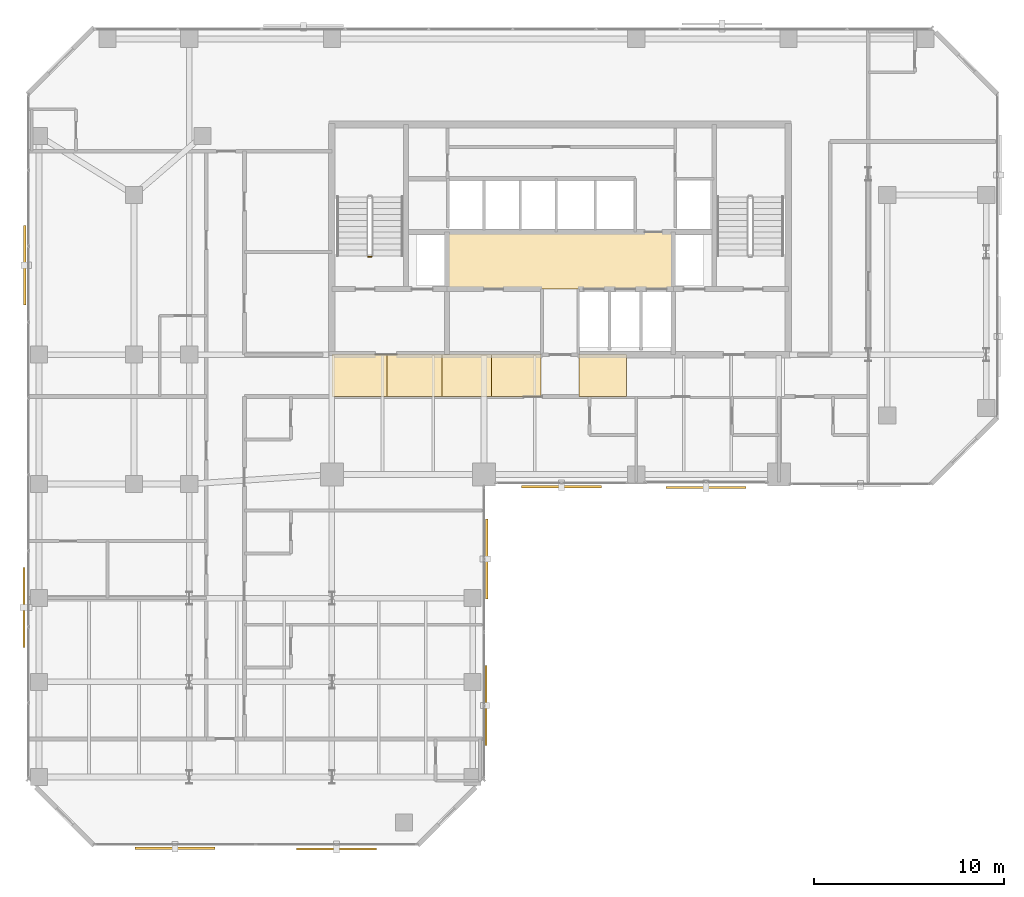
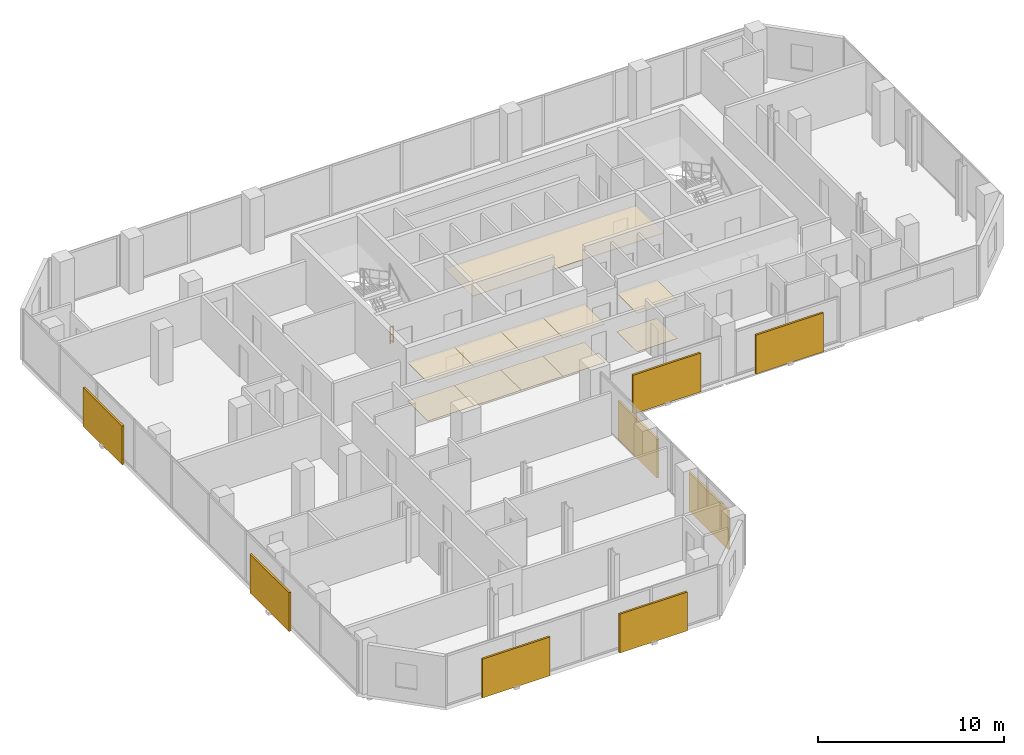
# One storey, part 33 of 34: 11 coverings, 8 shading devices, 1 railing.
"""IFC4 building model written with IfcOpenShell, lengths in metres."""

from ifc_helpers import new_model, si_unit, direction, frame, origin, origin_2d, place, context, subcontext, project, spatial, polyline, rectangle, circle, outline, extrude, material, layer, layer_set, type_object, element, save


model = new_model("IFC4")

# Units and contexts
model_context = context("Model", 3, precision=1e-05, world=origin(), true_north=direction((0.0, 1.0)))
body_context = subcontext(model_context, "Body", "Model", "MODEL_VIEW")
ifc_project = project(units=[si_unit("LENGTHUNIT", "METRE"), si_unit("AREAUNIT", "SQUARE_METRE"), si_unit("VOLUMEUNIT", "CUBIC_METRE"), si_unit("PLANEANGLEUNIT", "RADIAN"), si_unit("MASSUNIT", "GRAM", prefix="KILO")], contexts=[model_context])

# Site, building, storey
site_placement = place(None, origin())
site = spatial("IfcSite", under=ifc_project, at=site_placement, CompositionType="ELEMENT")
building_placement = place(site_placement, origin())
building = spatial("IfcBuilding", under=site, at=building_placement, Name="Catumbela Crestline Tower", CompositionType="ELEMENT")
storey_placement = place(building_placement, frame((0.0, 0.0, 97.2)))
storey = spatial("IfcBuildingStorey", under=building, at=storey_placement, Name="L24", CompositionType="ELEMENT", Elevation=97.2)

# Coverings
ifc_material_1 = material(Name="Mineral-fibre acoustic ceiling")
ifc_layer_1 = layer(ifc_material_1, 0.03, Name="Mineral-fibre acoustic ceiling")
ifc_layer_set_1 = layer_set([ifc_layer_1], Name="Mineral-fibre acoustic ceiling")
covering_type_1 = type_object("IfcCoveringType", Name="CC-AC", PredefinedType="CEILING", material=ifc_layer_set_1)
covering_1_placement = place(storey_placement, frame((0.0, 0.0, 2.65)))
element("IfcCovering", 1, at=covering_1_placement, inside=storey, type_object=covering_type_1, Name="L24 Lift Lobby Acoustic Ceiling", PredefinedType="CEILING", context=body_context, shape_type="SweptSolid", body=[
    extrude(outline(polyline([(22.05, 34.25), (33.95, 34.25), (33.95, 37.25), (22.05, 37.25), (22.05, 34.25)])), origin(), (0.0, 0.0, 1.0), 0.03),
])
covering_2_placement = place(storey_placement, frame((0.0, 0.0, 2.52)))
element("IfcCovering", 2, at=covering_2_placement, inside=storey, type_object=covering_type_1, Name="L24 Corridor Acoustic Ceiling Bay 1", PredefinedType="CEILING", context=body_context, shape_type="SweptSolid", body=[
    extrude(outline(polyline([(16.0, 28.6), (18.9, 28.6), (18.9, 30.8), (16.0, 30.8), (16.0, 28.6)])), origin(), (0.0, 0.0, 1.0), 0.03),
])
covering_3_placement = place(storey_placement, frame((0.0, 0.0, 2.52)))
element("IfcCovering", 3, at=covering_3_placement, inside=storey, type_object=covering_type_1, Name="L24 Corridor Acoustic Ceiling Bay 2", PredefinedType="CEILING", context=body_context, shape_type="SweptSolid", body=[
    extrude(outline(polyline([(18.9, 28.6), (21.8, 28.6), (21.8, 30.8), (18.9, 30.8), (18.9, 28.6)])), origin(), (0.0, 0.0, 1.0), 0.03),
])
covering_4_placement = place(storey_placement, frame((0.0, 0.0, 2.52)))
element("IfcCovering", 4, at=covering_4_placement, inside=storey, type_object=covering_type_1, Name="L24 Corridor Acoustic Ceiling Bay 3", PredefinedType="CEILING", context=body_context, shape_type="SweptSolid", body=[
    extrude(outline(polyline([(21.8, 28.6), (24.4, 28.6), (24.4, 30.8), (21.8, 30.8), (21.8, 28.6)])), origin(), (0.0, 0.0, 1.0), 0.03),
])
covering_5_placement = place(storey_placement, frame((0.0, 0.0, 2.52)))
element("IfcCovering", 5, at=covering_5_placement, inside=storey, type_object=covering_type_1, Name="L24 Corridor Acoustic Ceiling Bay 4", PredefinedType="CEILING", context=body_context, shape_type="SweptSolid", body=[
    extrude(outline(polyline([(24.4, 28.6), (27.0, 28.6), (27.0, 30.8), (24.4, 30.8), (24.4, 28.6)])), origin(), (0.0, 0.0, 1.0), 0.03),
])
covering_6_placement = place(storey_placement, frame((0.0, 0.0, 2.52)))
element("IfcCovering", 6, at=covering_6_placement, inside=storey, type_object=covering_type_1, Name="L24 Corridor Acoustic Ceiling Bay 5", PredefinedType="CEILING", context=body_context, shape_type="SweptSolid", body=[
    extrude(outline(polyline([(29.0, 28.6), (31.5, 28.6), (31.5, 30.8), (29.0, 30.8), (29.0, 28.6)])), origin(), (0.0, 0.0, 1.0), 0.03),
])
ifc_material_2 = material(Name="Angolan grey-ochre granite", Category="masonry")
ifc_layer_2 = layer(ifc_material_2, 0.025, Name="Angolan grey-ochre granite")
ifc_layer_set_2 = layer_set([ifc_layer_2], Name="Angolan grey-ochre granite")
covering_type_2 = type_object("IfcCoveringType", Name="CF-GR", PredefinedType="FLOORING", material=ifc_layer_set_2)
covering_7_placement = place(storey_placement, origin())
element("IfcCovering", 7, at=covering_7_placement, inside=storey, type_object=covering_type_2, Name="L24 Corridor Granite Flooring Bay 1", PredefinedType="FLOORING", context=body_context, shape_type="SweptSolid", body=[
    extrude(outline(polyline([(16.0, 28.6), (18.9, 28.6), (18.9, 30.8), (16.0, 30.8), (16.0, 28.6)])), origin(), (0.0, 0.0, 1.0), 0.025),
])
covering_8_placement = place(storey_placement, origin())
element("IfcCovering", 8, at=covering_8_placement, inside=storey, type_object=covering_type_2, Name="L24 Corridor Granite Flooring Bay 2", PredefinedType="FLOORING", context=body_context, shape_type="SweptSolid", body=[
    extrude(outline(polyline([(18.9, 28.6), (21.8, 28.6), (21.8, 30.8), (18.9, 30.8), (18.9, 28.6)])), origin(), (0.0, 0.0, 1.0), 0.025),
])
covering_9_placement = place(storey_placement, origin())
element("IfcCovering", 9, at=covering_9_placement, inside=storey, type_object=covering_type_2, Name="L24 Corridor Granite Flooring Bay 3", PredefinedType="FLOORING", context=body_context, shape_type="SweptSolid", body=[
    extrude(outline(polyline([(21.8, 28.6), (24.4, 28.6), (24.4, 30.8), (21.8, 30.8), (21.8, 28.6)])), origin(), (0.0, 0.0, 1.0), 0.025),
])
covering_10_placement = place(storey_placement, origin())
element("IfcCovering", 10, at=covering_10_placement, inside=storey, type_object=covering_type_2, Name="L24 Corridor Granite Flooring Bay 4", PredefinedType="FLOORING", context=body_context, shape_type="SweptSolid", body=[
    extrude(outline(polyline([(24.4, 28.6), (27.0, 28.6), (27.0, 30.8), (24.4, 30.8), (24.4, 28.6)])), origin(), (0.0, 0.0, 1.0), 0.025),
])
covering_11_placement = place(storey_placement, origin())
element("IfcCovering", 11, at=covering_11_placement, inside=storey, type_object=covering_type_2, Name="L24 Corridor Granite Flooring Bay 5", PredefinedType="FLOORING", context=body_context, shape_type="SweptSolid", body=[
    extrude(outline(polyline([(29.0, 28.6), (31.5, 28.6), (31.5, 30.8), (29.0, 30.8), (29.0, 28.6)])), origin(), (0.0, 0.0, 1.0), 0.025),
])

# Railing
ifc_material_3 = material(Name="Stainless steel EN 1.4401", Category="steel")
railing_type = type_object("IfcRailingType", Name="RG-1100", PredefinedType="GUARDRAIL", material=ifc_material_3)
railing_placement = place(storey_placement, frame((18.09, 35.95, 0.0)))
element("IfcRailing", 12, at=railing_placement, inside=storey, type_object=railing_type, Name="L24 ST-01 stair guard 4", PredefinedType="GUARDRAIL", context=body_context, shape_type="SweptSolid", body=[
    extrude(circle(Radius=0.024, at=origin_2d()), frame((0.0, 0.0, 1.076), z_axis=(-1.0, 0.0, 0.0), x_axis=(0.0, -1.0, 0.0)), (0.0, 0.0, 1.0), 0.18),
    extrude(circle(Radius=0.0156, at=origin_2d()), frame((0.0, 0.0, 0.55), z_axis=(-1.0, 0.0, 0.0), x_axis=(0.0, -1.0, 0.0)), (0.0, 0.0, 1.0), 0.18),
    extrude(circle(Radius=0.0156, at=origin_2d()), frame((0.0, 0.0, 0.12), z_axis=(-1.0, 0.0, 0.0), x_axis=(0.0, -1.0, 0.0)), (0.0, 0.0, 1.0), 0.18),
    extrude(circle(Radius=0.021, at=origin_2d()), origin(), (0.0, 0.0, 1.0), 1.052),
    extrude(circle(Radius=0.021, at=origin_2d()), frame((-0.18, 0.0, 0.0)), (0.0, 0.0, 1.0), 1.052),
])

# Shading devices
ifc_material_4 = material(Name="Extruded terracotta ceramic", Category="masonry")
shading_device_type_1 = type_object("IfcShadingDeviceType", Name="ST-180", PredefinedType="USERDEFINED", material=ifc_material_4)
shading_device_placement = place(storey_placement, frame((24.099, 12.35, -0.1), z_axis=(0.0, 0.0, 1.0), x_axis=(0.0, 1.0, 0.0)))
element("IfcShadingDevice", 13, at=shading_device_placement, inside=storey, type_object=shading_device_type_1, Name="L24 Perforated Terracotta Solar Screen 239 (180 mm)", ObjectType="SCREEN", PredefinedType="USERDEFINED", context=body_context, shape_type="SweptSolid", body=[
    extrude(rectangle(XDim=4.2, YDim=0.12, at=origin_2d()), origin(), (0.0, 0.0, 1.0), 2.55),
])
shading_device_type_2 = type_object("IfcShadingDeviceType", Name="ST-260", PredefinedType="USERDEFINED", material=ifc_material_4)
for number, where, z_axis, x_axis, name in (
    (14, (7.75, 4.857, -0.1), (0.0, 0.0, 1.0), (1.0, 0.0, 0.0), "L24 Perforated Terracotta Solar Screen 237 (260 mm)"),
    (15, (24.143, 20.05, -0.1), (0.0, 0.0, 1.0), (0.0, 1.0, 0.0), "L24 Perforated Terracotta Solar Screen 240 (260 mm)"),
    (16, (28.075, 23.857, -0.1), (0.0, 0.0, 1.0), (1.0, 0.0, 0.0), "L24 Perforated Terracotta Solar Screen 241 (260 mm)"),
    (17, (-0.143, 35.5, -0.1), (0.0, 0.0, 1.0), (0.0, -1.0, 0.0), "L24 Perforated Terracotta Solar Screen 248 (260 mm)"),
):
    element("IfcShadingDevice", number, at=place(storey_placement, frame(where, z_axis=z_axis, x_axis=x_axis)), inside=storey, type_object=shading_device_type_2, Name=name, ObjectType="SCREEN", PredefinedType="USERDEFINED", context=body_context, shape_type="SweptSolid", body=[
        extrude(rectangle(XDim=4.2, YDim=0.12, at=origin_2d()), origin(), (0.0, 0.0, 1.0), 2.55),
    ])
shading_device_type_3 = type_object("IfcShadingDeviceType", Name="ST-340", PredefinedType="USERDEFINED", material=ifc_material_4)
for number, where, z_axis, x_axis, name in (
    (18, (16.25, 4.813, -0.1), (0.0, 0.0, 1.0), (1.0, 0.0, 0.0), "L24 Perforated Terracotta Solar Screen 238 (340 mm)"),
    (19, (35.675, 23.813, -0.1), (0.0, 0.0, 1.0), (1.0, 0.0, 0.0), "L24 Perforated Terracotta Solar Screen 242 (340 mm)"),
    (20, (-0.187, 17.5, -0.1), (0.0, 0.0, 1.0), (0.0, -1.0, 0.0), "L24 Perforated Terracotta Solar Screen 249 (340 mm)"),
):
    element("IfcShadingDevice", number, at=place(storey_placement, frame(where, z_axis=z_axis, x_axis=x_axis)), inside=storey, type_object=shading_device_type_3, Name=name, ObjectType="SCREEN", PredefinedType="USERDEFINED", context=body_context, shape_type="SweptSolid", body=[
        extrude(rectangle(XDim=4.2, YDim=0.12, at=origin_2d()), origin(), (0.0, 0.0, 1.0), 2.55),
    ])

save(model, "model.ifc")
